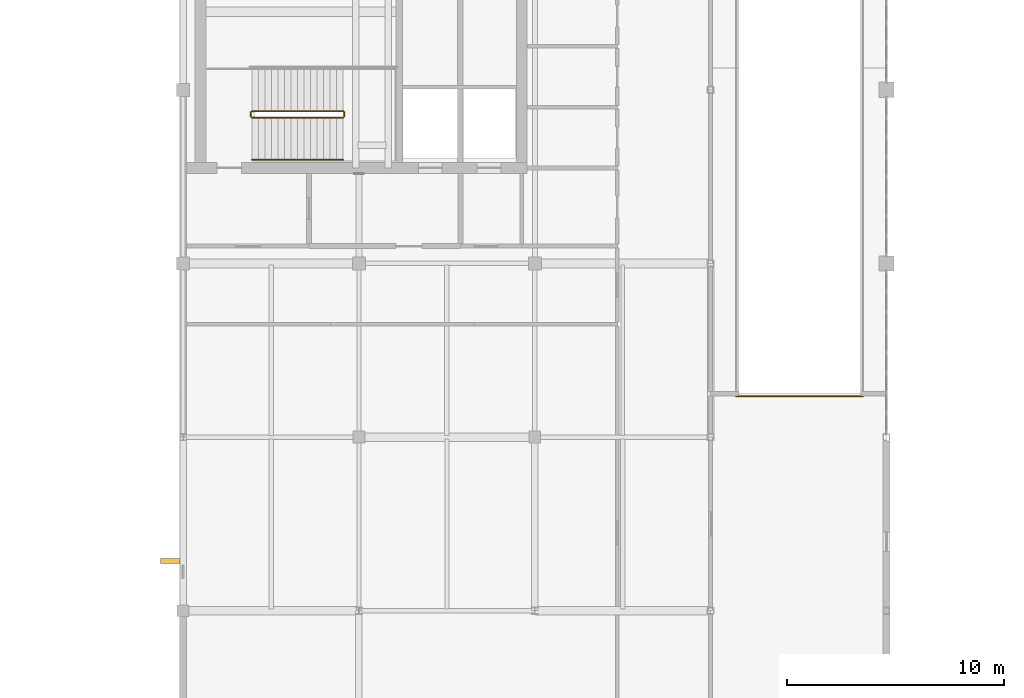
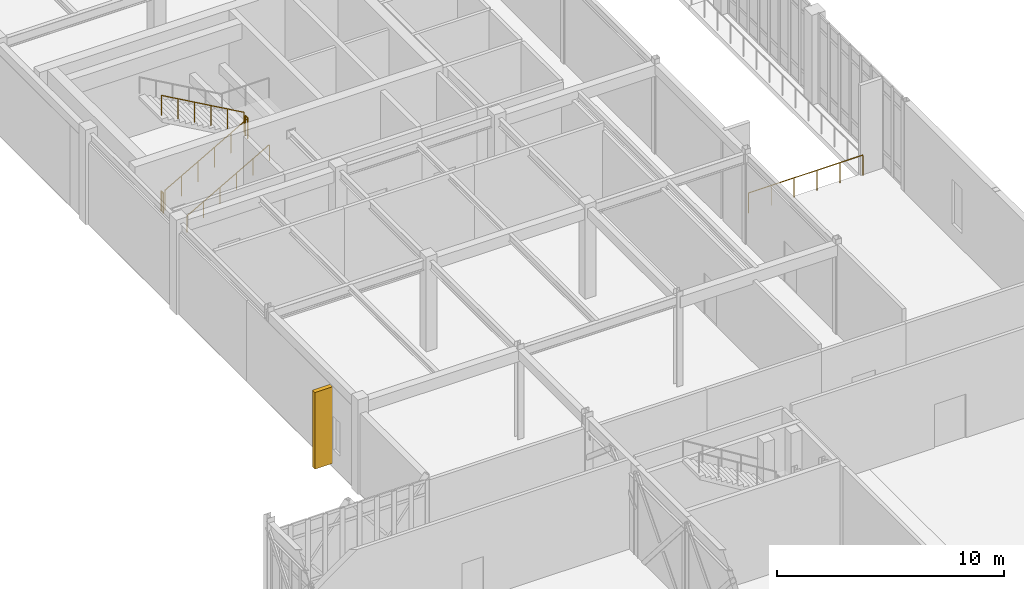
# One storey, part 102 of 107: 6 railings, 1 shading device.
"""IFC4 building model written with IfcOpenShell, lengths in metres."""

import ifcopenshell
import ifcopenshell.guid

model = None  # the IFC model being written
_history = None  # IfcOwnerHistory: only IFC2X3 demands one
_inside = {}  # id of a spatial element -> (the spatial element, [elements in it])
_under = {}  # id of a project, library or spatial element -> (it, [spatial elements below it])
_declared = {}  # id of a project -> (the project, [libraries it declares])
_typed = {}  # id of a type object -> (the type object, [elements of that type])
_made_of = {}  # id of a material, layer set ... -> (it, [elements and type objects made of it])


def new_model(schema):
    """Start an empty IFC model of exactly this schema.

    Asked for "IFC4X3", IfcOpenShell would pick the latest addendum, in which some entities
    have other attributes; the version numbers below select the first issue.
    IFC2X3 requires an IfcOwnerHistory on every rooted entity: one is made here for all.
    """
    global model, _history
    if schema == "IFC4X3":
        model = ifcopenshell.file(schema_version=(4, 3, 0, 0))
    else:
        model = ifcopenshell.file(schema=schema)
    _inside.clear()
    _under.clear()
    _declared.clear()
    _typed.clear()
    _made_of.clear()
    _history = None
    if model.schema == "IFC2X3":
        org = make("IfcOrganization", Name="unknown")
        user = make(
            "IfcPersonAndOrganization",
            ThePerson=make("IfcPerson", FamilyName="unknown"),
            TheOrganization=org,
        )
        app = make(
            "IfcApplication",
            ApplicationDeveloper=org,
            Version="unknown",
            ApplicationFullName="unknown",
            ApplicationIdentifier="unknown",
        )
        _history = make(
            "IfcOwnerHistory",
            OwningUser=user,
            OwningApplication=app,
            ChangeAction="ADDED",
            CreationDate=0,
        )
    return model


def make(cls, **values):
    """One entity of the class cls with the attributes given. An attribute that is None is left unset."""
    return model.create_entity(
        cls, **{name: value for name, value in values.items() if value is not None}
    )


def rooted(cls, **values):
    """An entity with a GlobalId (a new one), such as an element, a storey or a relation."""
    return make(cls, GlobalId=ifcopenshell.guid.new(), OwnerHistory=_history, **values)


def si_unit(unit_type, name, prefix=None):
    """IfcSIUnit, for example si_unit("LENGTHUNIT", "METRE", prefix="MILLI")."""
    return make("IfcSIUnit", UnitType=unit_type, Prefix=prefix, Name=name)


def assignment(units):
    """IfcUnitAssignment: the units of a project."""
    return None if units is None else make("IfcUnitAssignment", Units=units)


def point(xyz):
    """IfcCartesianPoint."""
    return None if xyz is None else make("IfcCartesianPoint", Coordinates=xyz)


def direction(xyz):
    """IfcDirection."""
    return None if xyz is None else make("IfcDirection", DirectionRatios=xyz)


def frame(location, z_axis=None, x_axis=None):
    """IfcAxis2Placement3D, a coordinate frame: its origin and axes. An axis left out is left unset."""
    return make(
        "IfcAxis2Placement3D",
        Location=point(location),
        Axis=direction(z_axis),
        RefDirection=direction(x_axis),
    )


def frame_2d(location, x_axis=None):
    """IfcAxis2Placement2D, a coordinate frame in the plane: its origin and x axis."""
    return make(
        "IfcAxis2Placement2D", Location=point(location), RefDirection=direction(x_axis)
    )


def origin():
    """The frame at (0, 0, 0) with its axes left unset."""
    return frame((0.0, 0.0, 0.0))


def origin_2d():
    """The frame at (0, 0) in the plane with its x axis left unset."""
    return frame_2d((0.0, 0.0))


def place(relative_to, where):
    """IfcLocalPlacement: puts the frame where relative to a parent placement (None: the world)."""
    return make(
        "IfcLocalPlacement", PlacementRelTo=relative_to, RelativePlacement=where
    )


def context(
    kind, dimensions, precision=None, world=None, true_north=None, identifier=None
):
    """IfcGeometricRepresentationContext, for example the 3D "Model" context."""
    return make(
        "IfcGeometricRepresentationContext",
        ContextIdentifier=identifier,
        ContextType=kind,
        CoordinateSpaceDimension=dimensions,
        Precision=precision,
        WorldCoordinateSystem=world,
        TrueNorth=true_north,
    )


def subcontext(parent, identifier, kind, view, scale=None):
    """IfcGeometricRepresentationSubContext, for example "Body" below "Model"."""
    return make(
        "IfcGeometricRepresentationSubContext",
        ContextIdentifier=identifier,
        ContextType=kind,
        ParentContext=parent,
        TargetScale=scale,
        TargetView=view,
    )


def project(units=None, contexts=None):
    """IfcProject with its units and contexts."""
    return rooted(
        "IfcProject",
        Name="project",
        RepresentationContexts=contexts,
        UnitsInContext=assignment(units),
    )


def spatial(cls, under=None, at=None, **own):
    """A site, building, storey or space (cls), placed at a placement, below another one or the project."""
    s = rooted(cls, ObjectPlacement=at, **own)
    if under is not None:
        _under.setdefault(under.id(), (under, []))[1].append(s)
    return s


def profile(cls, at=None, kind="AREA", **sizes):
    """A parametric profile (cls). Its sizes go by their IFC names, for example OverallWidth=200.0."""
    return make(cls, ProfileType=kind, Position=at, **sizes)


def rectangle(**sizes):
    """IfcRectangleProfileDef."""
    return profile("IfcRectangleProfileDef", **sizes)


def circle(**sizes):
    """IfcCircleProfileDef."""
    return profile("IfcCircleProfileDef", **sizes)


def extrude(swept, where, along, depth):
    """IfcExtrudedAreaSolid: the profile swept, set in the frame where, extruded along a direction by depth."""
    return make(
        "IfcExtrudedAreaSolid",
        SweptArea=swept,
        Position=where,
        ExtrudedDirection=direction(along),
        Depth=depth,
    )


def shape(context_of_items, identifier, shape_type, items):
    """IfcShapeRepresentation: the items that make up one representation, for example the "Body"."""
    return make(
        "IfcShapeRepresentation",
        ContextOfItems=context_of_items,
        RepresentationIdentifier=identifier,
        RepresentationType=shape_type,
        Items=items,
    )


def material(Name=None, Category=None):
    """IfcMaterial."""
    return make("IfcMaterial", Name=Name, Category=Category)


def material_profile(
    of_material, cross_section, Name=None, Category=None, Priority=None
):
    """IfcMaterialProfile: a cross section and its material."""
    return make(
        "IfcMaterialProfile",
        Name=Name,
        Material=of_material,
        Profile=cross_section,
        Priority=Priority,
        Category=Category,
    )


def profile_set(profiles, Name=None, composite=None):
    """IfcMaterialProfileSet."""
    return make(
        "IfcMaterialProfileSet",
        Name=Name,
        MaterialProfiles=profiles,
        CompositeProfile=composite,
    )


def made_of(thing, what):
    """Note that an element or type object is made of a material, layer set ...; save() writes the relation."""
    if what is not None:
        _made_of.setdefault(what.id(), (what, []))[1].append(thing)
    return thing


def type_object(cls, material=None, **own):
    """A type object (cls), such as IfcWallType, which elements share."""
    return made_of(rooted(cls, **own), material)


def element(
    cls,
    number,
    at=None,
    inside=None,
    cuts=None,
    type_object=None,
    material=None,
    context=None,
    identifier="Body",
    shape_type=None,
    held_by="IfcProductDefinitionShape",
    body=None,
    shapes=None,
    **own,
):
    """One element of the class cls, such as IfcWall. Its Tag is "e" and its number.

    at: its placement. inside: the storey or other place that contains it. cuts: it is an
    opening in that element (IfcRelVoidsElement). A single representation is given by context,
    identifier, shape_type and body (its items); several are given by shapes. held_by: the class
    of the entity that holds the representations. save() writes the other relations.
    """
    e = rooted(cls, Tag="e%d" % number, ObjectPlacement=at, **own)
    if body is not None:
        shapes = [shape(context, identifier, shape_type, body)]
    if shapes is not None:
        e.Representation = make(held_by, Representations=shapes)
    if inside is not None:
        _inside.setdefault(inside.id(), (inside, []))[1].append(e)
    if cuts is not None:
        rooted(
            "IfcRelVoidsElement", RelatingBuildingElement=cuts, RelatedOpeningElement=e
        )
    if type_object is not None:
        _typed.setdefault(type_object.id(), (type_object, []))[1].append(e)
    return made_of(e, material)


def aggregate(whole, parts):
    """IfcRelAggregates: a whole, such as a stair, and the parts it consists of."""
    return rooted("IfcRelAggregates", RelatingObject=whole, RelatedObjects=parts)


def save(model, path):
    """Write the relations noted so far, then the file.

    IfcRelAggregates (storeys below a building ...), IfcRelContainedInSpatialStructure (elements
    in a storey), IfcRelDefinesByType, IfcRelAssociatesMaterial and IfcRelDeclares: one each for
    every whole, place, type object, material and project.
    """
    for whole, parts in _under.values():
        aggregate(whole, parts)
    for where, things in _inside.values():
        rooted(
            "IfcRelContainedInSpatialStructure",
            RelatedElements=things,
            RelatingStructure=where,
        )
    for kind, things in _typed.values():
        rooted("IfcRelDefinesByType", RelatedObjects=things, RelatingType=kind)
    for what, things in _made_of.values():
        rooted("IfcRelAssociatesMaterial", RelatedObjects=things, RelatingMaterial=what)
    for by, libraries in _declared.values():
        rooted("IfcRelDeclares", RelatingContext=by, RelatedDefinitions=libraries)
    model.write(path)


model = new_model("IFC4")

# Units and contexts
model_context = context("Model", 3, precision=1e-05, world=origin(), true_north=direction((0.0, 1.0)))
body_context = subcontext(model_context, "Body", "Model", "MODEL_VIEW")
ifc_project = project(units=[si_unit("LENGTHUNIT", "METRE"), si_unit("AREAUNIT", "SQUARE_METRE"), si_unit("VOLUMEUNIT", "CUBIC_METRE"), si_unit("PLANEANGLEUNIT", "RADIAN"), si_unit("MASSUNIT", "GRAM", prefix="KILO")], contexts=[model_context])

# Site, building, storey
site_placement = place(None, origin())
site = spatial("IfcSite", under=ifc_project, at=site_placement, CompositionType="ELEMENT")
building_placement = place(site_placement, origin())
building = spatial("IfcBuilding", under=site, at=building_placement, Name="Tarnveldt Square Police Headquarters", CompositionType="ELEMENT")
storey_placement = place(building_placement, frame((0.0, 0.0, 14.699951171875)))
storey = spatial("IfcBuildingStorey", under=building, at=storey_placement, Name="L03", CompositionType="ELEMENT", Elevation=14.699951171875)

# Railings
ifc_material_1 = material(Name="Steel 350W", Category="steel")
railing_type_1 = type_object("IfcRailingType", Name="RL-GR-1100", PredefinedType="GUARDRAIL", material=ifc_material_1)
railing_1_placement = place(storey_placement, frame((19.3701171875, 62.719970703125, 0.170166015625)))
element("IfcRailing", 1, at=railing_1_placement, inside=storey, type_object=railing_type_1, Name="L03 ST1 stair guard 1", PredefinedType="GUARDRAIL", context=body_context, shape_type="SweptSolid", body=[
    extrude(circle(Radius=0.02392578125, at=origin_2d()), frame((0.0, 0.0, 1.076171875), z_axis=(0.870030139814, 0.0, 0.492998535308), x_axis=(0.0, 1.0, 0.0)), (0.0, 0.0, 1.0), 4.827392578125),
    extrude(circle(Radius=0.02099609375, at=origin_2d()), origin(), (0.0, 0.0, 1.0), 1.052001953125),
    extrude(circle(Radius=0.02099609375, at=origin_2d()), frame((0.840087890625, 0.0, 0.47607421875)), (0.0, 0.0, 1.0), 1.052001953125),
    extrude(circle(Radius=0.02099609375, at=origin_2d()), frame((1.679931640625, 0.0, 0.951904296875)), (0.0, 0.0, 1.0), 1.052001953125),
    extrude(circle(Radius=0.02099609375, at=origin_2d()), frame((2.52001953125, 0.0, 1.427978515625)), (0.0, 0.0, 1.0), 1.052001953125),
    extrude(circle(Radius=0.02099609375, at=origin_2d()), frame((3.35986328125, 0.0, 1.90380859375)), (0.0, 0.0, 1.0), 1.052001953125),
    extrude(circle(Radius=0.02099609375, at=origin_2d()), frame((4.199951171875, 0.0, 2.3798828125)), (0.0, 0.0, 1.0), 1.052001953125),
])
railing_2_placement = place(storey_placement, frame((23.6201171875, 62.77001953125, 2.550048828125)))
element("IfcRailing", 2, at=railing_2_placement, inside=storey, type_object=railing_type_1, Name="L03 ST1 stair guard 2", PredefinedType="GUARDRAIL", context=body_context, shape_type="SweptSolid", body=[
    extrude(circle(Radius=0.02392578125, at=origin_2d()), frame((0.0, 0.0, 1.076171875), z_axis=(0.0, 1.0, 0.0), x_axis=(-1.0, 0.0, 0.0)), (0.0, 0.0, 1.0), 0.199951171875),
    extrude(circle(Radius=0.02099609375, at=origin_2d()), origin(), (0.0, 0.0, 1.0), 1.052001953125),
    extrude(circle(Radius=0.02099609375, at=origin_2d()), frame((0.0, 0.199951171875, 0.0)), (0.0, 0.0, 1.0), 1.052001953125),
])
railing_3_placement = place(storey_placement, frame((23.570068359375, 63.02001953125, 2.719970703125)))
element("IfcRailing", 3, at=railing_3_placement, inside=storey, type_object=railing_type_1, Name="L03 ST1 stair guard 4", PredefinedType="GUARDRAIL", context=body_context, shape_type="SweptSolid", body=[
    extrude(circle(Radius=0.02392578125, at=origin_2d()), frame((0.0, 0.0, 1.076171875), z_axis=(-0.870008446991, 0.0, 0.493036816236), x_axis=(0.0, -1.0, 0.0)), (0.0, 0.0, 1.0), 4.827392578125),
    extrude(circle(Radius=0.02099609375, at=origin_2d()), origin(), (0.0, 0.0, 1.0), 1.052001953125),
    extrude(circle(Radius=0.02099609375, at=origin_2d()), frame((-0.840087890625, 0.0, 0.47607421875)), (0.0, 0.0, 1.0), 1.052001953125),
    extrude(circle(Radius=0.02099609375, at=origin_2d()), frame((-1.679931640625, 0.0, 0.9521484375)), (0.0, 0.0, 1.0), 1.052001953125),
    extrude(circle(Radius=0.02099609375, at=origin_2d()), frame((-2.52001953125, 0.0, 1.427978515625)), (0.0, 0.0, 1.0), 1.052001953125),
    extrude(circle(Radius=0.02099609375, at=origin_2d()), frame((-3.35986328125, 0.0, 1.904052734375)), (0.0, 0.0, 1.0), 1.052001953125),
    extrude(circle(Radius=0.02099609375, at=origin_2d()), frame((-4.199951171875, 0.0, 2.380126953125)), (0.0, 0.0, 1.0), 1.052001953125),
])
railing_4_placement = place(storey_placement, frame((19.320068359375, 62.77001953125, 0.0)))
element("IfcRailing", 4, at=railing_4_placement, inside=storey, type_object=railing_type_1, Name="L03 ST1 stair guard 5", PredefinedType="GUARDRAIL", context=body_context, shape_type="SweptSolid", body=[
    extrude(circle(Radius=0.02392578125, at=origin_2d()), frame((0.0, 0.0, 1.076171875), z_axis=(0.0, 1.0, 0.0), x_axis=(-1.0, 0.0, 0.0)), (0.0, 0.0, 1.0), 0.199951171875),
    extrude(circle(Radius=0.02099609375, at=origin_2d()), origin(), (0.0, 0.0, 1.0), 1.052001953125),
    extrude(circle(Radius=0.02099609375, at=origin_2d()), frame((0.0, 0.199951171875, 0.0)), (0.0, 0.0, 1.0), 1.052001953125),
])
railing_5_placement = place(storey_placement, frame((41.679931640625, 49.8798828125, 0.0)))
element("IfcRailing", 5, at=railing_5_placement, inside=storey, type_object=railing_type_1, Name="L03 WG-ATRIUM-3S Atrium Overlook Guardrail S1", PredefinedType="GUARDRAIL", context=body_context, shape_type="SweptSolid", body=[
    extrude(circle(Radius=0.02392578125, at=origin_2d()), frame((0.0, 0.0, 1.076171875), z_axis=(1.0, 0.0, 0.0), x_axis=(0.0, 1.0, 0.0)), (0.0, 0.0, 1.0), 5.840087890625),
    extrude(circle(Radius=0.02099609375, at=origin_2d()), origin(), (0.0, 0.0, 1.0), 1.052001953125),
    extrude(circle(Radius=0.02099609375, at=origin_2d()), frame((1.16796875, 0.0, 0.0)), (0.0, 0.0, 1.0), 1.052001953125),
    extrude(circle(Radius=0.02099609375, at=origin_2d()), frame((2.3359375, 0.0, 0.0)), (0.0, 0.0, 1.0), 1.052001953125),
    extrude(circle(Radius=0.02099609375, at=origin_2d()), frame((3.504150390625, 0.0, 0.0)), (0.0, 0.0, 1.0), 1.052001953125),
    extrude(circle(Radius=0.02099609375, at=origin_2d()), frame((4.672119140625, 0.0, 0.0)), (0.0, 0.0, 1.0), 1.052001953125),
    extrude(circle(Radius=0.02099609375, at=origin_2d()), frame((5.840087890625, 0.0, 0.0)), (0.0, 0.0, 1.0), 1.052001953125),
])
railing_type_2 = type_object("IfcRailingType", Name="RL-HR-900", PredefinedType="HANDRAIL", material=ifc_material_1)
railing_6_placement = place(storey_placement, frame((19.3701171875, 60.77001953125, 0.170166015625)))
element("IfcRailing", 6, at=railing_6_placement, inside=storey, type_object=railing_type_2, Name="L03 ST1 stair handrail 1", PredefinedType="HANDRAIL", context=body_context, shape_type="SweptSolid", body=[
    extrude(circle(Radius=0.02392578125, at=origin_2d()), frame((0.0, 0.0, 0.8759765625), z_axis=(0.870030139814, 0.0, 0.492998535308), x_axis=(0.0, 1.0, 0.0)), (0.0, 0.0, 1.0), 4.827392578125),
    extrude(circle(Radius=0.02099609375, at=origin_2d()), origin(), (0.0, 0.0, 1.0), 0.851806640625),
    extrude(circle(Radius=0.02099609375, at=origin_2d()), frame((0.840087890625, 0.0, 0.47607421875)), (0.0, 0.0, 1.0), 0.851806640625),
    extrude(circle(Radius=0.02099609375, at=origin_2d()), frame((1.679931640625, 0.0, 0.951904296875)), (0.0, 0.0, 1.0), 0.851806640625),
    extrude(circle(Radius=0.02099609375, at=origin_2d()), frame((2.52001953125, 0.0, 1.427978515625)), (0.0, 0.0, 1.0), 0.851806640625),
    extrude(circle(Radius=0.02099609375, at=origin_2d()), frame((3.35986328125, 0.0, 1.90380859375)), (0.0, 0.0, 1.0), 0.851806640625),
    extrude(circle(Radius=0.02099609375, at=origin_2d()), frame((4.199951171875, 0.0, 2.3798828125)), (0.0, 0.0, 1.0), 0.851806640625),
])

# Shading device
ifc_material_2 = material(Name="Precast concrete 35 MPa", Category="concrete")
ifc_material_profile = material_profile(ifc_material_2, rectangle(XDim=0.219970703125, YDim=0.89990234375, at=origin_2d()), Name="PC-FIN220x900")
ifc_profile_set = profile_set([ifc_material_profile], Name="Precast concrete 35 MPa")
shading_device_type = type_object("IfcShadingDeviceType", Name="SHD-FIN-900", PredefinedType="USERDEFINED", material=ifc_profile_set)
shading_device_placement = place(storey_placement, frame((15.610107421875, 42.2939453125, 0.150146484375), z_axis=(0.0, 0.0, 1.0), x_axis=(0.0, -1.0, 0.0)))
element("IfcShadingDevice", 7, at=shading_device_placement, inside=storey, type_object=shading_device_type, Name="L03 Precast Deep-Reveal Brutalist Fin 044", ObjectType="SOLAR SHADING FIN", PredefinedType="USERDEFINED", context=body_context, shape_type="SweptSolid", body=[
    extrude(rectangle(XDim=0.219970703125, YDim=0.89990234375, at=origin_2d()), origin(), (0.0, 0.0, 1.0), 4.1318359375),
])

save(model, "model.ifc")
